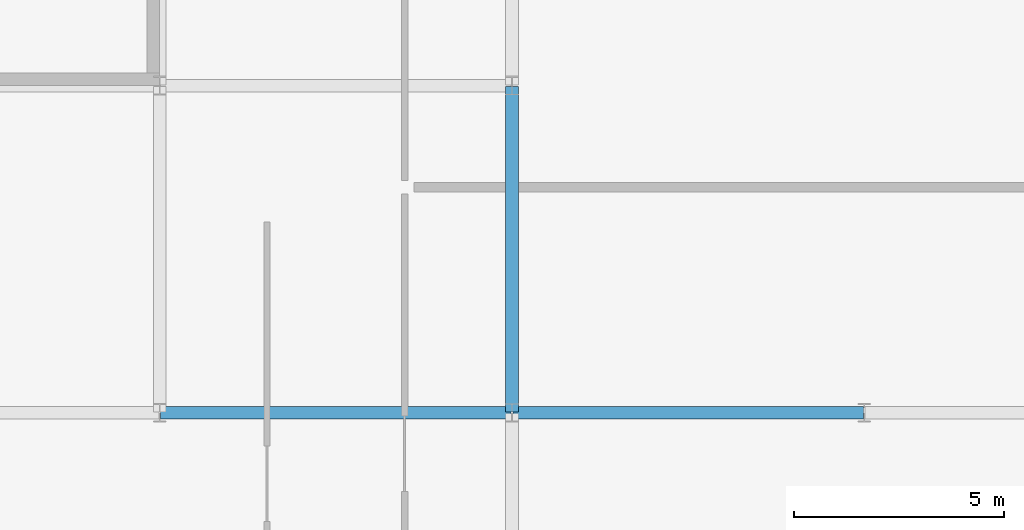
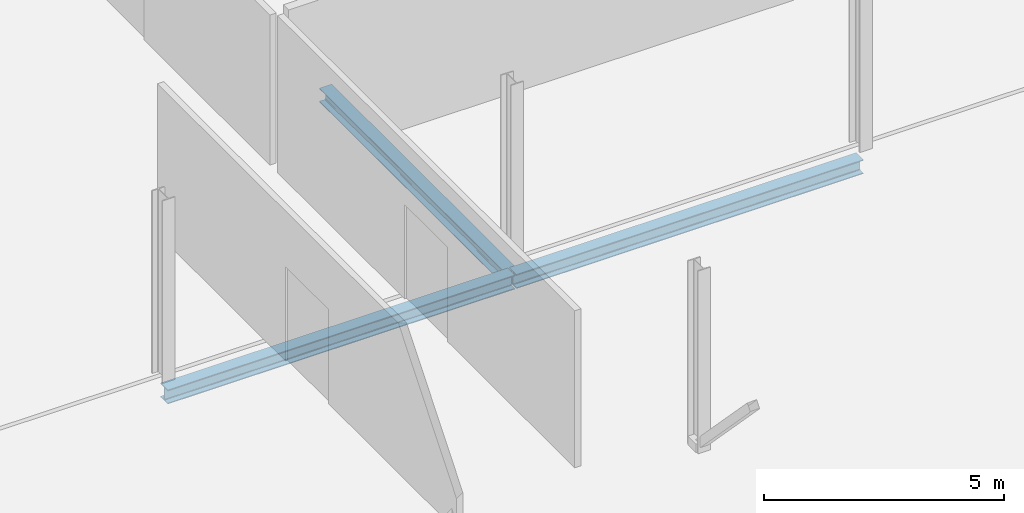
# One storey, part 35 of 98: 3 beams.
"""IFC4 building model written with IfcOpenShell, lengths in metres."""

from ifc_helpers import new_model, si_unit, direction, frame, origin, origin_2d, place, context, subcontext, project, spatial, i_section, extrude, material, material_profile, profile_set, type_object, element, save


model = new_model("IFC4")

# Units and contexts
model_context = context("Model", 3, precision=1e-05, world=origin(), true_north=direction((0.0, 1.0)))
body_context = subcontext(model_context, "Body", "Model", "MODEL_VIEW")
ifc_project = project(units=[si_unit("LENGTHUNIT", "METRE"), si_unit("AREAUNIT", "SQUARE_METRE"), si_unit("VOLUMEUNIT", "CUBIC_METRE"), si_unit("PLANEANGLEUNIT", "RADIAN"), si_unit("MASSUNIT", "GRAM", prefix="KILO")], contexts=[model_context])

# Site, building, storey
site_placement = place(None, origin())
site = spatial("IfcSite", under=ifc_project, at=site_placement, CompositionType="ELEMENT")
building_placement = place(site_placement, origin())
building = spatial("IfcBuilding", under=site, at=building_placement, Name="Nabrawat Pavilion Hospital", CompositionType="ELEMENT")
storey_placement = place(building_placement, frame((0.0, 0.0, 10.199951171875)))
storey = spatial("IfcBuildingStorey", under=building, at=storey_placement, Name="L02", CompositionType="ELEMENT", Elevation=10.199951171875)

# Beams
ifc_material = material(Name="Steel S355", Category="steel")
ifc_material_profile_1 = material_profile(ifc_material, i_section(OverallWidth=0.300048828125, OverallDepth=0.360107421875, WebThickness=0.012451171875, FlangeThickness=0.0224609375, FilletRadius=0.027099609375, at=origin_2d()), Name="HEB 360")
ifc_profile_set_1 = profile_set([ifc_material_profile_1], Name="Steel S355")
beam_type_1 = type_object("IfcBeamType", Name="Surgical Perimeter Spandrel HEB 360", PredefinedType="SPANDREL", material=ifc_profile_set_1)
beam_1_placement = place(storey_placement, frame((25.219970703125, 85.800048828125, -0.449951171875), z_axis=(1.0, 0.0, 0.0), x_axis=(0.0, 1.0, 0.0)))
element("IfcBeam", 1, at=beam_1_placement, inside=storey, type_object=beam_type_1, Name="L02 Primary X Girder 1080", PredefinedType="SPANDREL", context=body_context, shape_type="SweptSolid", body=[
    extrude(i_section(OverallWidth=0.300048828125, OverallDepth=0.360107421875, WebThickness=0.012451171875, FlangeThickness=0.0224609375, FilletRadius=0.027099609375, at=origin_2d()), origin(), (0.0, 0.0, 1.0), 8.360107421875),
])
beam_2_placement = place(storey_placement, frame((33.6201171875, 85.800048828125, -0.449951171875), z_axis=(1.0, 0.0, 0.0), x_axis=(0.0, 1.0, 0.0)))
element("IfcBeam", 2, at=beam_2_placement, inside=storey, type_object=beam_type_1, Name="L02 Primary X Girder 1081", PredefinedType="SPANDREL", context=body_context, shape_type="SweptSolid", body=[
    extrude(i_section(OverallWidth=0.300048828125, OverallDepth=0.360107421875, WebThickness=0.012451171875, FlangeThickness=0.0224609375, FilletRadius=0.027099609375, at=origin_2d()), origin(), (0.0, 0.0, 1.0), 8.35986328125),
])
ifc_material_profile_2 = material_profile(ifc_material, i_section(OverallWidth=0.300048828125, OverallDepth=0.35009765625, WebThickness=0.009521484375, FlangeThickness=0.017578125, FilletRadius=0.027099609375, at=origin_2d()), Name="HEA 360")
ifc_profile_set_2 = profile_set([ifc_material_profile_2], Name="Steel S355")
beam_type_2 = type_object("IfcBeamType", Name="Surgical Stiffened Beam HEA 360", PredefinedType="BEAM", material=ifc_profile_set_2)
beam_3_placement = place(storey_placement, frame((33.60009765625, 85.820068359375, -0.445068359375), z_axis=(0.0, 1.0, 0.0), x_axis=(-1.0, 0.0, 0.0)))
element("IfcBeam", 3, at=beam_3_placement, inside=storey, type_object=beam_type_2, Name="L02 Primary Y Beam 1219", PredefinedType="BEAM", context=body_context, shape_type="SweptSolid", body=[
    extrude(i_section(OverallWidth=0.300048828125, OverallDepth=0.35009765625, WebThickness=0.009521484375, FlangeThickness=0.017578125, FilletRadius=0.027099609375, at=origin_2d()), origin(), (0.0, 0.0, 1.0), 7.760009765625),
])

save(model, "model.ifc")
